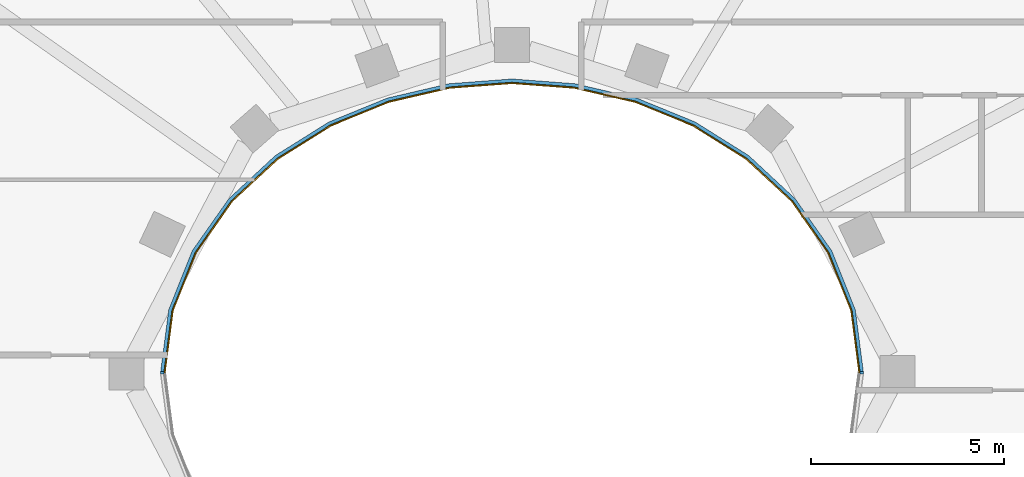
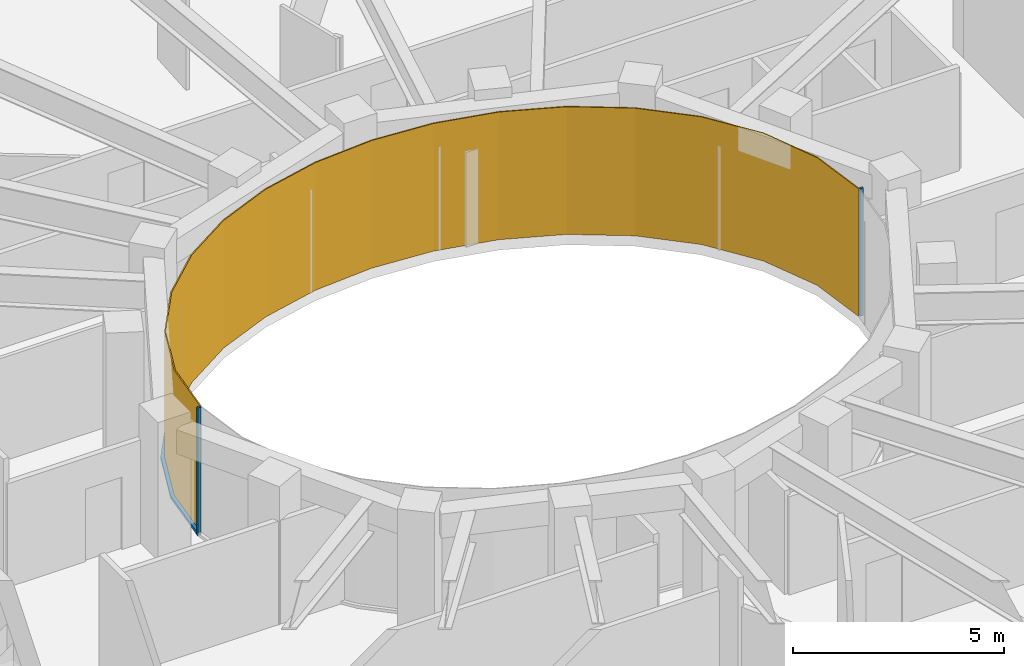
# One storey, part 12 of 17: 3 members, 1 curtain wall.
"""IFC4 building model written with IfcOpenShell, lengths in metres."""

import ifcopenshell
import ifcopenshell.guid

model = None  # the IFC model being written
_history = None  # IfcOwnerHistory: only IFC2X3 demands one
_inside = {}  # id of a spatial element -> (the spatial element, [elements in it])
_under = {}  # id of a project, library or spatial element -> (it, [spatial elements below it])
_declared = {}  # id of a project -> (the project, [libraries it declares])
_typed = {}  # id of a type object -> (the type object, [elements of that type])
_made_of = {}  # id of a material, layer set ... -> (it, [elements and type objects made of it])


def new_model(schema):
    """Start an empty IFC model of exactly this schema.

    Asked for "IFC4X3", IfcOpenShell would pick the latest addendum, in which some entities
    have other attributes; the version numbers below select the first issue.
    IFC2X3 requires an IfcOwnerHistory on every rooted entity: one is made here for all.
    """
    global model, _history
    if schema == "IFC4X3":
        model = ifcopenshell.file(schema_version=(4, 3, 0, 0))
    else:
        model = ifcopenshell.file(schema=schema)
    _inside.clear()
    _under.clear()
    _declared.clear()
    _typed.clear()
    _made_of.clear()
    _history = None
    if model.schema == "IFC2X3":
        org = make("IfcOrganization", Name="unknown")
        user = make(
            "IfcPersonAndOrganization",
            ThePerson=make("IfcPerson", FamilyName="unknown"),
            TheOrganization=org,
        )
        app = make(
            "IfcApplication",
            ApplicationDeveloper=org,
            Version="unknown",
            ApplicationFullName="unknown",
            ApplicationIdentifier="unknown",
        )
        _history = make(
            "IfcOwnerHistory",
            OwningUser=user,
            OwningApplication=app,
            ChangeAction="ADDED",
            CreationDate=0,
        )
    return model


def make(cls, **values):
    """One entity of the class cls with the attributes given. An attribute that is None is left unset."""
    return model.create_entity(
        cls, **{name: value for name, value in values.items() if value is not None}
    )


def rooted(cls, **values):
    """An entity with a GlobalId (a new one), such as an element, a storey or a relation."""
    return make(cls, GlobalId=ifcopenshell.guid.new(), OwnerHistory=_history, **values)


def si_unit(unit_type, name, prefix=None):
    """IfcSIUnit, for example si_unit("LENGTHUNIT", "METRE", prefix="MILLI")."""
    return make("IfcSIUnit", UnitType=unit_type, Prefix=prefix, Name=name)


def assignment(units):
    """IfcUnitAssignment: the units of a project."""
    return None if units is None else make("IfcUnitAssignment", Units=units)


def point(xyz):
    """IfcCartesianPoint."""
    return None if xyz is None else make("IfcCartesianPoint", Coordinates=xyz)


def direction(xyz):
    """IfcDirection."""
    return None if xyz is None else make("IfcDirection", DirectionRatios=xyz)


def frame(location, z_axis=None, x_axis=None):
    """IfcAxis2Placement3D, a coordinate frame: its origin and axes. An axis left out is left unset."""
    return make(
        "IfcAxis2Placement3D",
        Location=point(location),
        Axis=direction(z_axis),
        RefDirection=direction(x_axis),
    )


def frame_2d(location, x_axis=None):
    """IfcAxis2Placement2D, a coordinate frame in the plane: its origin and x axis."""
    return make(
        "IfcAxis2Placement2D", Location=point(location), RefDirection=direction(x_axis)
    )


def origin():
    """The frame at (0, 0, 0) with its axes left unset."""
    return frame((0.0, 0.0, 0.0))


def origin_2d():
    """The frame at (0, 0) in the plane with its x axis left unset."""
    return frame_2d((0.0, 0.0))


def place(relative_to, where):
    """IfcLocalPlacement: puts the frame where relative to a parent placement (None: the world)."""
    return make(
        "IfcLocalPlacement", PlacementRelTo=relative_to, RelativePlacement=where
    )


def context(
    kind, dimensions, precision=None, world=None, true_north=None, identifier=None
):
    """IfcGeometricRepresentationContext, for example the 3D "Model" context."""
    return make(
        "IfcGeometricRepresentationContext",
        ContextIdentifier=identifier,
        ContextType=kind,
        CoordinateSpaceDimension=dimensions,
        Precision=precision,
        WorldCoordinateSystem=world,
        TrueNorth=true_north,
    )


def subcontext(parent, identifier, kind, view, scale=None):
    """IfcGeometricRepresentationSubContext, for example "Body" below "Model"."""
    return make(
        "IfcGeometricRepresentationSubContext",
        ContextIdentifier=identifier,
        ContextType=kind,
        ParentContext=parent,
        TargetScale=scale,
        TargetView=view,
    )


def project(units=None, contexts=None):
    """IfcProject with its units and contexts."""
    return rooted(
        "IfcProject",
        Name="project",
        RepresentationContexts=contexts,
        UnitsInContext=assignment(units),
    )


def spatial(cls, under=None, at=None, **own):
    """A site, building, storey or space (cls), placed at a placement, below another one or the project."""
    s = rooted(cls, ObjectPlacement=at, **own)
    if under is not None:
        _under.setdefault(under.id(), (under, []))[1].append(s)
    return s


def polyline(points):
    """IfcPolyline through the points."""
    return make("IfcPolyline", Points=[point(p) for p in points])


def profile(cls, at=None, kind="AREA", **sizes):
    """A parametric profile (cls). Its sizes go by their IFC names, for example OverallWidth=200.0."""
    return make(cls, ProfileType=kind, Position=at, **sizes)


def rectangle(**sizes):
    """IfcRectangleProfileDef."""
    return profile("IfcRectangleProfileDef", **sizes)


def outline(outer, holes=None, kind="AREA"):
    """IfcArbitraryClosedProfileDef: a profile drawn as a closed curve; with holes, ...WithVoids."""
    if holes is None:
        return make("IfcArbitraryClosedProfileDef", ProfileType=kind, OuterCurve=outer)
    return make(
        "IfcArbitraryProfileDefWithVoids",
        ProfileType=kind,
        OuterCurve=outer,
        InnerCurves=holes,
    )


def extrude(swept, where, along, depth):
    """IfcExtrudedAreaSolid: the profile swept, set in the frame where, extruded along a direction by depth."""
    return make(
        "IfcExtrudedAreaSolid",
        SweptArea=swept,
        Position=where,
        ExtrudedDirection=direction(along),
        Depth=depth,
    )


def shape(context_of_items, identifier, shape_type, items):
    """IfcShapeRepresentation: the items that make up one representation, for example the "Body"."""
    return make(
        "IfcShapeRepresentation",
        ContextOfItems=context_of_items,
        RepresentationIdentifier=identifier,
        RepresentationType=shape_type,
        Items=items,
    )


def material(Name=None, Category=None):
    """IfcMaterial."""
    return make("IfcMaterial", Name=Name, Category=Category)


def layer(
    of_material, thickness, ventilated=None, Name=None, Category=None, Priority=None
):
    """IfcMaterialLayer: one layer of a wall or slab, of a material (None: an air gap)."""
    return make(
        "IfcMaterialLayer",
        Material=of_material,
        LayerThickness=thickness,
        IsVentilated=ventilated,
        Name=Name,
        Category=Category,
        Priority=Priority,
    )


def layer_set(layers, Name=None):
    """IfcMaterialLayerSet."""
    return make("IfcMaterialLayerSet", MaterialLayers=layers, LayerSetName=Name)


def material_profile(
    of_material, cross_section, Name=None, Category=None, Priority=None
):
    """IfcMaterialProfile: a cross section and its material."""
    return make(
        "IfcMaterialProfile",
        Name=Name,
        Material=of_material,
        Profile=cross_section,
        Priority=Priority,
        Category=Category,
    )


def profile_set(profiles, Name=None, composite=None):
    """IfcMaterialProfileSet."""
    return make(
        "IfcMaterialProfileSet",
        Name=Name,
        MaterialProfiles=profiles,
        CompositeProfile=composite,
    )


def made_of(thing, what):
    """Note that an element or type object is made of a material, layer set ...; save() writes the relation."""
    if what is not None:
        _made_of.setdefault(what.id(), (what, []))[1].append(thing)
    return thing


def type_object(cls, material=None, **own):
    """A type object (cls), such as IfcWallType, which elements share."""
    return made_of(rooted(cls, **own), material)


def element(
    cls,
    number,
    at=None,
    inside=None,
    cuts=None,
    type_object=None,
    material=None,
    context=None,
    identifier="Body",
    shape_type=None,
    held_by="IfcProductDefinitionShape",
    body=None,
    shapes=None,
    **own,
):
    """One element of the class cls, such as IfcWall. Its Tag is "e" and its number.

    at: its placement. inside: the storey or other place that contains it. cuts: it is an
    opening in that element (IfcRelVoidsElement). A single representation is given by context,
    identifier, shape_type and body (its items); several are given by shapes. held_by: the class
    of the entity that holds the representations. save() writes the other relations.
    """
    e = rooted(cls, Tag="e%d" % number, ObjectPlacement=at, **own)
    if body is not None:
        shapes = [shape(context, identifier, shape_type, body)]
    if shapes is not None:
        e.Representation = make(held_by, Representations=shapes)
    if inside is not None:
        _inside.setdefault(inside.id(), (inside, []))[1].append(e)
    if cuts is not None:
        rooted(
            "IfcRelVoidsElement", RelatingBuildingElement=cuts, RelatedOpeningElement=e
        )
    if type_object is not None:
        _typed.setdefault(type_object.id(), (type_object, []))[1].append(e)
    return made_of(e, material)


def aggregate(whole, parts):
    """IfcRelAggregates: a whole, such as a stair, and the parts it consists of."""
    return rooted("IfcRelAggregates", RelatingObject=whole, RelatedObjects=parts)


def save(model, path):
    """Write the relations noted so far, then the file.

    IfcRelAggregates (storeys below a building ...), IfcRelContainedInSpatialStructure (elements
    in a storey), IfcRelDefinesByType, IfcRelAssociatesMaterial and IfcRelDeclares: one each for
    every whole, place, type object, material and project.
    """
    for whole, parts in _under.values():
        aggregate(whole, parts)
    for where, things in _inside.values():
        rooted(
            "IfcRelContainedInSpatialStructure",
            RelatedElements=things,
            RelatingStructure=where,
        )
    for kind, things in _typed.values():
        rooted("IfcRelDefinesByType", RelatedObjects=things, RelatingType=kind)
    for what, things in _made_of.values():
        rooted("IfcRelAssociatesMaterial", RelatedObjects=things, RelatingMaterial=what)
    for by, libraries in _declared.values():
        rooted("IfcRelDeclares", RelatingContext=by, RelatedDefinitions=libraries)
    model.write(path)


model = new_model("IFC4")

# Units and contexts
model_context = context("Model", 3, precision=1e-05, world=origin(), true_north=direction((0.0, 1.0)))
body_context = subcontext(model_context, "Body", "Model", "MODEL_VIEW")
ifc_project = project(units=[si_unit("LENGTHUNIT", "METRE"), si_unit("AREAUNIT", "SQUARE_METRE"), si_unit("VOLUMEUNIT", "CUBIC_METRE"), si_unit("PLANEANGLEUNIT", "RADIAN"), si_unit("MASSUNIT", "GRAM", prefix="KILO")], contexts=[model_context])

# Member
ifc_material_1 = material(Name="Steel S355 fire-resisting frame", Category="steel")
ifc_material_profile = material_profile(ifc_material_1, rectangle(XDim=0.090087890625, YDim=0.06005859375, at=origin_2d()), Name="90x60")
ifc_profile_set = profile_set([ifc_material_profile], Name="Steel S355 fire-resisting frame")
member_type_1 = type_object("IfcMemberType", Name="ENV-MULLION-W-90", PredefinedType="MULLION", material=ifc_profile_set)
site_placement = place(None, origin())
building_placement = place(site_placement, origin())
storey_placement = place(building_placement, frame((0.0, 0.0, 291.0)))
member_1_placement = place(storey_placement, frame((9.076904296875, 0.0, 0.0), z_axis=(0.0, 0.0, 1.0), x_axis=(1.0, 0.0, 0.0)))
member_1 = element("IfcMember", 1, at=member_1_placement, type_object=member_type_1, Name="Mullion W well vertex 01", PredefinedType="MULLION", context=body_context, shape_type="SweptSolid", body=[
    extrude(rectangle(XDim=0.090087890625, YDim=0.06005859375, at=origin_2d()), origin(), (0.0, 0.0, 1.0), 3.699951171875),
])

member_2_placement = place(storey_placement, frame((-9.076904296875, 0.0, 0.0), z_axis=(0.0, 0.0, 1.0), x_axis=(-1.0, 0.0, 0.0)))
member_2 = element("IfcMember", 2, at=member_2_placement, type_object=member_type_1, Name="Mullion W well vertex 17", PredefinedType="MULLION", context=body_context, shape_type="SweptSolid", body=[
    extrude(rectangle(XDim=0.090087890625, YDim=0.06005859375, at=origin_2d()), origin(), (0.0, 0.0, 1.0), 3.699951171875),
])

ifc_material_2 = material(Name="Steel S355 fire-resisting frame", Category="steel")
member_type_2 = type_object("IfcMemberType", Name="ENV-TRANSOM-W", PredefinedType="USERDEFINED", material=ifc_material_2)
member_3_placement = place(storey_placement, origin())
member_3 = element("IfcMember", 3, at=member_3_placement, type_object=member_type_2, Name="Transom W well 01-17", ObjectType="TRANSOM", PredefinedType="USERDEFINED", context=body_context, shape_type="SweptSolid", body=[
    extrude(outline(polyline([(9.119384765625, 0.02783203125), (8.910400390625, 1.63623046875), (8.29833984375, 3.167236328125), (7.35107421875, 4.5146484375), (6.1455078125, 5.6337890625), (4.75341796875, 6.50634765625), (3.233642578125, 7.127685546875), (1.635498046875, 7.498779296875), (0.0, 7.622314453125), (-1.635498046875, 7.498779296875), (-3.233642578125, 7.127685546875), (-4.75341796875, 6.50634765625), (-6.1455078125, 5.6337890625), (-7.35107421875, 4.5146484375), (-8.29833984375, 3.167236328125), (-8.910400390625, 1.63623046875), (-9.119384765625, 0.02783203125), (-9.02880859375, 0.02783203125), (-8.822509765625, 1.61328125), (-8.21875, 3.124267578125), (-7.282958984375, 4.455078125), (-6.090576171875, 5.56201171875), (-4.712158203125, 6.426025390625), (-3.206298828125, 7.04150390625), (-1.621826171875, 7.40966796875), (0.0, 7.531982421875), (1.621826171875, 7.40966796875), (3.206298828125, 7.04150390625), (4.712158203125, 6.426025390625), (6.090576171875, 5.56201171875), (7.282958984375, 4.455078125), (8.21875, 3.124267578125), (8.822509765625, 1.61328125), (9.02880859375, 0.02783203125), (9.119384765625, 0.02783203125)])), origin(), (0.0, 0.0, 1.0), 0.080078125),
])

# Site, building, storey
site = spatial("IfcSite", under=ifc_project, at=site_placement, CompositionType="ELEMENT")
building = spatial("IfcBuilding", under=site, at=building_placement, Name="Noorbagh Ring Tower", CompositionType="ELEMENT")
storey = spatial("IfcBuildingStorey", under=building, at=storey_placement, Name="L62", CompositionType="ELEMENT", Elevation=291.0)

# Curtain wall
ifc_material_3 = material(Name="Glass fire-resisting E60 laminated", Category="glass")
ifc_layer = layer(ifc_material_3, 0.031982421875)
ifc_layer_set = layer_set([ifc_layer], Name="Glass fire-resisting E60 laminated")
curtain_wall_type = type_object("IfcCurtainWallType", Name="ENV-CW-W", PredefinedType="NOTDEFINED", material=ifc_layer_set)
curtain_wall_placement = place(storey_placement, origin())
curtain_wall = element("IfcCurtainWall", 4, at=curtain_wall_placement, inside=storey, type_object=curtain_wall_type, Name="Curtain wall W W01", PredefinedType="NOTDEFINED", context=body_context, shape_type="SweptSolid", body=[
    extrude(outline(polyline([(9.0322265625, 0.0), (8.822509765625, 1.61328125), (8.21875, 3.124267578125), (7.282958984375, 4.455078125), (6.090576171875, 5.56201171875), (4.712158203125, 6.426025390625), (3.206298828125, 7.04150390625), (1.621826171875, 7.40966796875), (0.0, 7.531982421875), (-1.621826171875, 7.40966796875), (-3.206298828125, 7.04150390625), (-4.712158203125, 6.426025390625), (-6.090576171875, 5.56201171875), (-7.282958984375, 4.455078125), (-8.21875, 3.124267578125), (-8.822509765625, 1.61328125), (-9.0322265625, 0.0), (-9.0, 0.0), (-8.79150390625, 1.605224609375), (-8.1904296875, 3.10888671875), (-7.2587890625, 4.43408203125), (-6.071044921875, 5.53662109375), (-4.697509765625, 6.3974609375), (-3.196533203125, 7.010986328125), (-1.6171875, 7.3779296875), (0.0, 7.5), (1.6171875, 7.3779296875), (3.196533203125, 7.010986328125), (4.697509765625, 6.3974609375), (6.071044921875, 5.53662109375), (7.2587890625, 4.43408203125), (8.1904296875, 3.10888671875), (8.79150390625, 1.605224609375), (9.0, 0.0), (9.0322265625, 0.0)])), origin(), (0.0, 0.0, 1.0), 3.699951171875),
])

aggregate(curtain_wall, [member_1, member_2, member_3])

save(model, "model.ifc")
